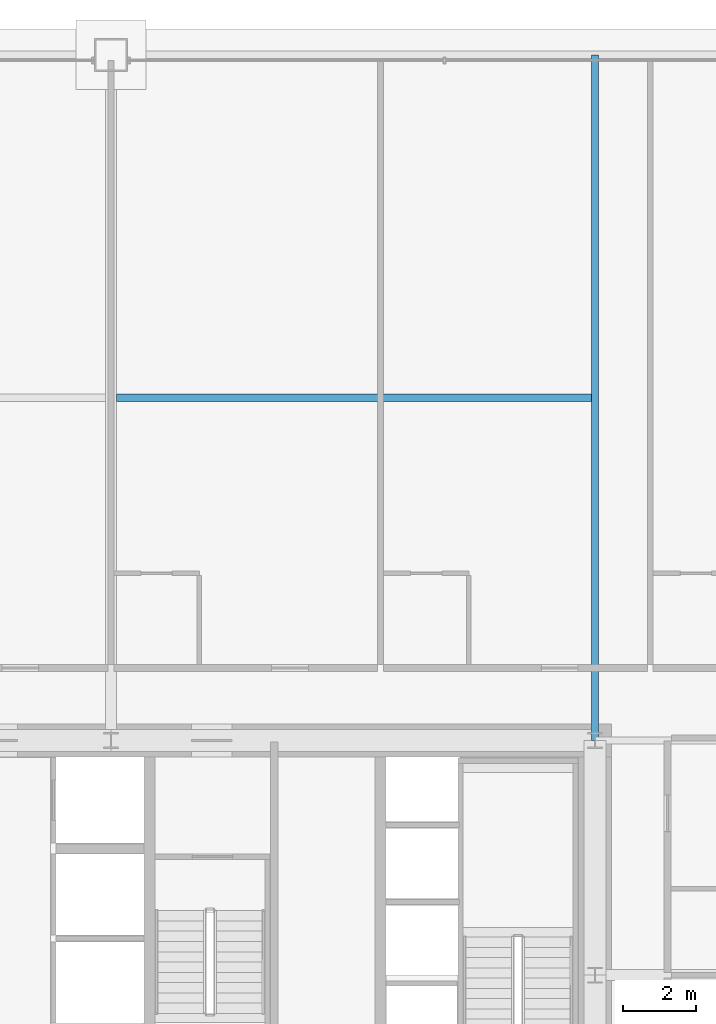
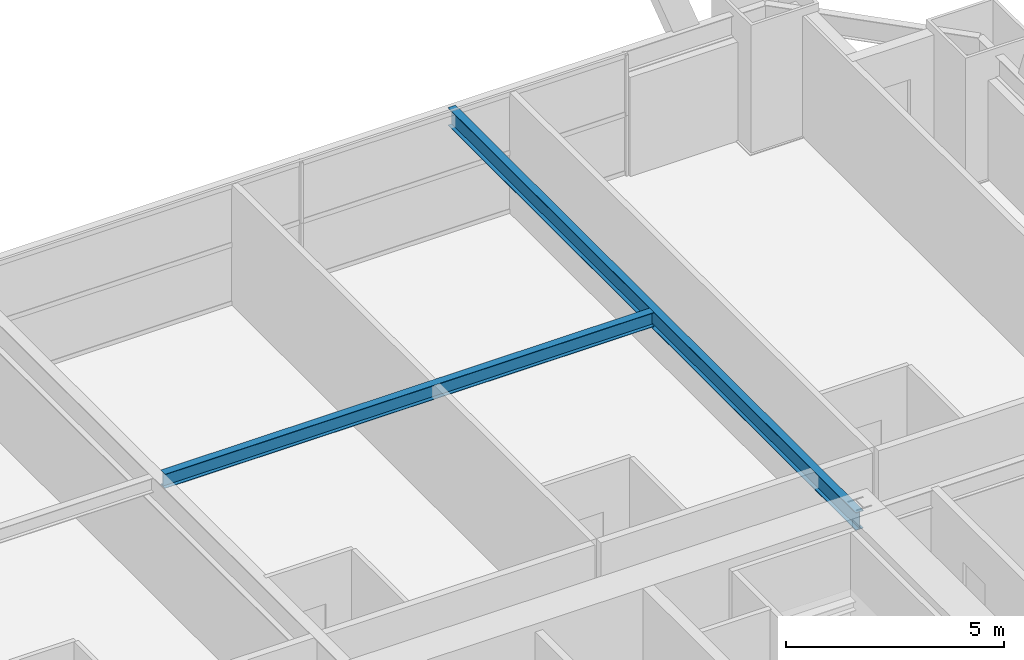
# One storey, part 30 of 45: 2 beams.
"""IFC4 building model written with IfcOpenShell, lengths in metres."""

from ifc_helpers import new_model, si_unit, direction, frame, origin, origin_2d, place, context, subcontext, project, spatial, i_section, extrude, source, transform, mapped, material, material_profile, profile_set, type_object, element, save


model = new_model("IFC4")

# Units and contexts
model_context = context("Model", 3, precision=1e-05, world=origin(), true_north=direction((0.0, 1.0)))
body_context = subcontext(model_context, "Body", "Model", "MODEL_VIEW")
ifc_project = project(units=[si_unit("LENGTHUNIT", "METRE"), si_unit("AREAUNIT", "SQUARE_METRE"), si_unit("VOLUMEUNIT", "CUBIC_METRE"), si_unit("PLANEANGLEUNIT", "RADIAN"), si_unit("MASSUNIT", "GRAM", prefix="KILO"), si_unit("THERMODYNAMICTEMPERATUREUNIT", "KELVIN"), si_unit("POWERUNIT", "WATT")], contexts=[model_context])

# Site, building, storey
site_placement = place(None, origin())
site = spatial("IfcSite", under=ifc_project, at=site_placement, CompositionType="ELEMENT")
building_placement = place(site_placement, origin())
building = spatial("IfcBuilding", under=site, at=building_placement, Name="Yuzanri Waterfront Tower", CompositionType="ELEMENT")
storey_placement = place(building_placement, frame((0.0, 0.0, 30.60009765625)))
storey = spatial("IfcBuildingStorey", under=building, at=storey_placement, Name="L07", CompositionType="ELEMENT", Elevation=30.60009765625)

# Beams
ifc_material_1 = material(Name="Steel Q355B", Category="steel")
ifc_material_profile_1 = material_profile(ifc_material_1, i_section(OverallWidth=0.199951171875, OverallDepth=0.5, WebThickness=0.010009765625, FlangeThickness=0.01611328125, at=origin_2d()), Name="HN 500x200x10x16")
ifc_profile_set_1 = profile_set([ifc_material_profile_1], Name="Steel Q355B")
beam_type_1 = type_object("IfcBeamType", Name="Secondary Floor Beam Q355B HN 500x200", PredefinedType="BEAM", material=ifc_profile_set_1)
shared_shape_1 = source(origin(), body_context, "Body", "SweptSolid", [
    extrude(i_section(OverallWidth=0.199951171875, OverallDepth=0.5, WebThickness=0.010009765625, FlangeThickness=0.01611328125, at=origin_2d()), origin(), (0.0, 0.0, 1.0), 18.699951171875),
])
beam_1_placement = place(storey_placement, frame((50.199951171875, 32.199951171875, 3.1298828125), z_axis=(0.0, 1.0, 0.0), x_axis=(-1.0, 0.0, 0.0)))
element("IfcBeam", 1, at=beam_1_placement, inside=storey, type_object=beam_type_1, Name="L07 North-East Core Line Beam", PredefinedType="BEAM", context=body_context, shape_type="MappedRepresentation", body=[
    mapped(shared_shape_1, transform((0.0, 0.0, 0.0), scale=1.0)),
])
ifc_material_2 = material(Name="Steel Q355B", Category="steel")
ifc_material_profile_2 = material_profile(ifc_material_2, i_section(OverallWidth=0.199951171875, OverallDepth=0.39990234375, WebThickness=0.008056640625, FlangeThickness=0.012939453125, at=origin_2d()), Name="HN 400x200x8x13")
ifc_profile_set_2 = profile_set([ifc_material_profile_2], Name="Steel Q355B")
beam_type_2 = type_object("IfcBeamType", Name="Floor Joist Q355B HN 400x200", PredefinedType="JOIST", material=ifc_profile_set_2)
shared_shape_2 = source(origin(), body_context, "Body", "SweptSolid", [
    extrude(i_section(OverallWidth=0.199951171875, OverallDepth=0.39990234375, WebThickness=0.008056640625, FlangeThickness=0.012939453125, at=origin_2d()), origin(), (0.0, 0.0, 1.0), 12.9501953125),
])
beam_2_placement = place(storey_placement, frame((37.14990234375, 41.550048828125, 3.179931640625), z_axis=(1.0, 0.0, 0.0), x_axis=(0.0, 1.0, 0.0)))
element("IfcBeam", 2, at=beam_2_placement, inside=storey, type_object=beam_type_2, Name="L07 North Bay Joist E", PredefinedType="JOIST", context=body_context, shape_type="MappedRepresentation", body=[
    mapped(shared_shape_2, transform((0.0, 0.0, 0.0), scale=1.0)),
])

save(model, "model.ifc")
